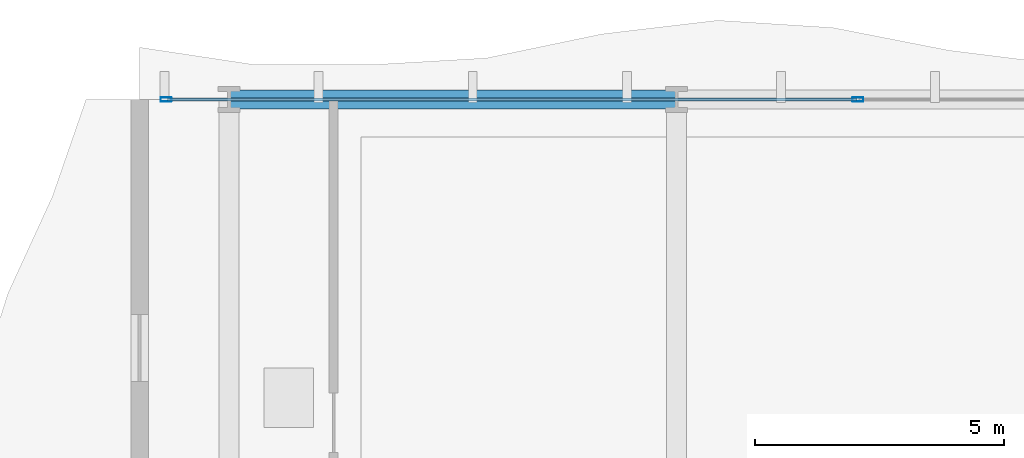
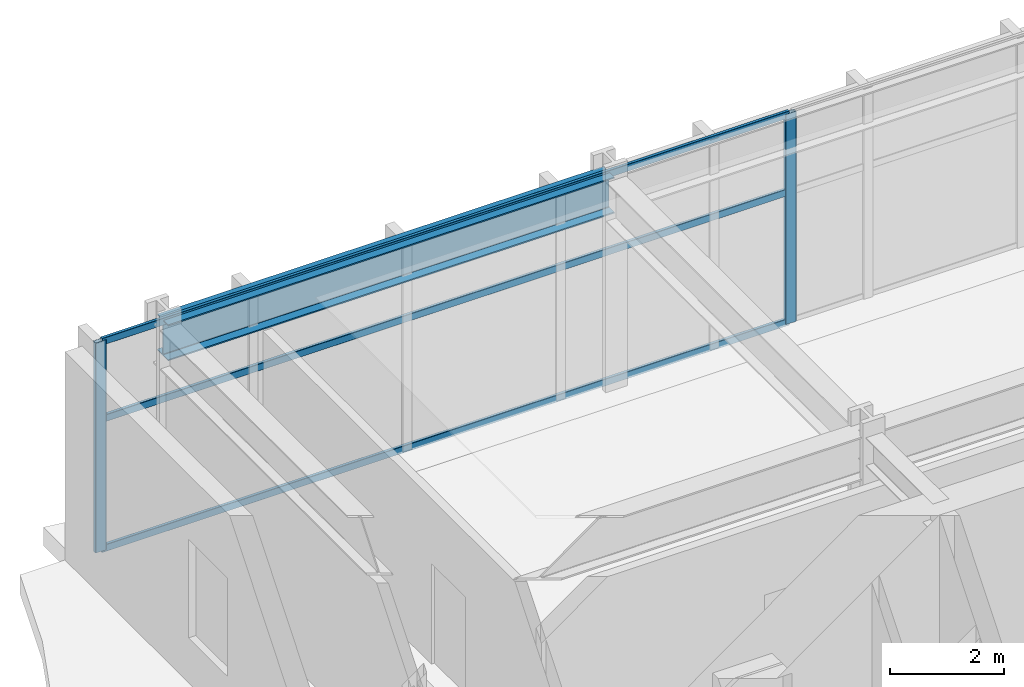
# One storey, part 13 of 29: 5 members, 1 beam, 1 element without a shape of its own.
"""IFC4 building model written with IfcOpenShell, lengths in metres."""

from ifc_helpers import new_model, si_unit, direction, frame, origin, origin_2d, place, context, subcontext, project, spatial, hollow_rectangle, i_section, extrude, material, layer, layer_set, material_profile, profile_set, type_object, element, aggregate, save


model = new_model("IFC4")

# Units and contexts
model_context = context("Model", 3, precision=1e-05, world=origin(), true_north=direction((0.0, 1.0)))
body_context = subcontext(model_context, "Body", "Model", "MODEL_VIEW")
ifc_project = project(units=[si_unit("LENGTHUNIT", "METRE"), si_unit("AREAUNIT", "SQUARE_METRE"), si_unit("VOLUMEUNIT", "CUBIC_METRE"), si_unit("PLANEANGLEUNIT", "RADIAN"), si_unit("MASSUNIT", "GRAM", prefix="KILO")], contexts=[model_context])

# Site, building, storey
site_placement = place(None, origin())
site = spatial("IfcSite", under=ifc_project, at=site_placement, CompositionType="ELEMENT")
building_placement = place(site_placement, origin())
building = spatial("IfcBuilding", under=site, at=building_placement, Name="Solvaryn Broadcast Tower", CompositionType="ELEMENT")
storey_placement = place(building_placement, frame((0.0, 0.0, 21.199951171875)))
storey = spatial("IfcBuildingStorey", under=building, at=storey_placement, Name="L04", CompositionType="ELEMENT", Elevation=21.199951171875)

# Beam
ifc_material_1 = material(Name="Steel ASTM A992 Grade 50", Category="steel")
ifc_material_profile_1 = material_profile(ifc_material_1, i_section(OverallWidth=0.381103515625, OverallDepth=0.77294921875, WebThickness=0.0166015625, FlangeThickness=0.027099609375, FilletRadius=0.01806640625, at=origin_2d()))
ifc_profile_set_1 = profile_set([ifc_material_profile_1], Name="Steel ASTM A992 Grade 50")
beam_type = type_object("IfcBeamType", Name="BM-SP1-W30X173", PredefinedType="USERDEFINED", material=ifc_profile_set_1)
beam_placement = place(storey_placement, frame((9.0, 54.0, 4.093505859375), z_axis=(1.0, 0.0, 0.0), x_axis=(0.0, 1.0, 0.0)))
element("IfcBeam", 1, at=beam_placement, inside=storey, type_object=beam_type, Name="L04 Spandrel Beam X (9-18 @ Y=54)", ObjectType="SPANDREL", PredefinedType="USERDEFINED", context=body_context, shape_type="SweptSolid", body=[
    extrude(i_section(OverallWidth=0.381103515625, OverallDepth=0.77294921875, WebThickness=0.0166015625, FlangeThickness=0.027099609375, FilletRadius=0.01806640625, at=origin_2d()), origin(), (0.0, 0.0, 1.0), 9.0),
])

# Curtain wall, members
ifc_material_2 = material(Name="Aluminium and Terracotta Unitised Curtain Wall", Category="masonry")
ifc_layer = layer(ifc_material_2, 0.219970703125)
ifc_layer_set = layer_set([ifc_layer], Name="CW-SYS1-PODIUM")
curtain_wall_type = type_object("IfcCurtainWallType", Name="CW-SYS1-PODIUM", PredefinedType="NOTDEFINED", material=ifc_layer_set)
curtain_wall_placement = place(storey_placement, origin())
curtain_wall = element("IfcCurtainWall", 2, at=curtain_wall_placement, inside=storey, type_object=curtain_wall_type, Name="L04 Podium Curtain Wall N1", PredefinedType="NOTDEFINED")
ifc_material_3 = material(Name="Anodised Aluminium 6063-T6", Category="aluminium")
ifc_material_profile_2 = material_profile(ifc_material_3, hollow_rectangle(XDim=0.0849609375, YDim=0.219970703125, WallThickness=0.0048828125, InnerFilletRadius=0.0048828125, OuterFilletRadius=0.010009765625, at=origin_2d()))
ifc_profile_set_2 = profile_set([ifc_material_profile_2], Name="Anodised Aluminium 6063-T6")
member_type_1 = type_object("IfcMemberType", Name="CW-MUL-220", PredefinedType="MULLION", material=ifc_profile_set_2)
member_1_placement = place(storey_placement, frame((7.72998046875, 54.0, 0.0), z_axis=(0.0, 0.0, 1.0), x_axis=(0.0, 1.0, 0.0)))
member_1 = element("IfcMember", 3, at=member_1_placement, type_object=member_type_1, Name="CWS1 mullion 1", PredefinedType="MULLION", context=body_context, shape_type="SweptSolid", body=[
    extrude(hollow_rectangle(XDim=0.0849609375, YDim=0.219970703125, WallThickness=0.0048828125, InnerFilletRadius=0.0048828125, OuterFilletRadius=0.010009765625, at=origin_2d()), origin(), (0.0, 0.0, 1.0), 4.47998046875),
])
member_2_placement = place(storey_placement, frame((21.64990234375, 54.0, 0.0), z_axis=(0.0, 0.0, 1.0), x_axis=(0.0, 1.0, 0.0)))
member_2 = element("IfcMember", 4, at=member_2_placement, type_object=member_type_1, Name="CWS1 mullion 2", PredefinedType="MULLION", context=body_context, shape_type="SweptSolid", body=[
    extrude(hollow_rectangle(XDim=0.0849609375, YDim=0.219970703125, WallThickness=0.0048828125, InnerFilletRadius=0.0048828125, OuterFilletRadius=0.010009765625, at=origin_2d()), origin(), (0.0, 0.0, 1.0), 4.47998046875),
])
ifc_material_4 = material(Name="Anodised Aluminium 6063-T6", Category="aluminium")
ifc_material_profile_3 = material_profile(ifc_material_4, hollow_rectangle(XDim=0.06494140625, YDim=0.14990234375, WallThickness=0.00390625, InnerFilletRadius=0.00390625, OuterFilletRadius=0.008056640625, at=origin_2d()))
ifc_profile_set_3 = profile_set([ifc_material_profile_3], Name="Anodised Aluminium 6063-T6")
member_type_2 = type_object("IfcMemberType", Name="CW-TRN-150", PredefinedType="USERDEFINED", material=ifc_profile_set_3)
member_3_placement = place(storey_placement, frame((7.760009765625, 54.0, 0.030029296875), z_axis=(1.0, 0.0, 0.0), x_axis=(0.0, 1.0, 0.0)))
member_3 = element("IfcMember", 5, at=member_3_placement, type_object=member_type_2, Name="CWS1 transom 1.1", ObjectType="TRANSOM", PredefinedType="USERDEFINED", context=body_context, shape_type="SweptSolid", body=[
    extrude(hollow_rectangle(XDim=0.06494140625, YDim=0.14990234375, WallThickness=0.00390625, InnerFilletRadius=0.00390625, OuterFilletRadius=0.008056640625, at=origin_2d()), origin(), (0.0, 0.0, 1.0), 13.860107421875),
])
member_4_placement = place(storey_placement, frame((7.760009765625, 54.0, 2.800048828125), z_axis=(1.0, 0.0, 0.0), x_axis=(0.0, 1.0, 0.0)))
member_4 = element("IfcMember", 6, at=member_4_placement, type_object=member_type_2, Name="CWS1 transom 1.2", ObjectType="TRANSOM", PredefinedType="USERDEFINED", context=body_context, shape_type="SweptSolid", body=[
    extrude(hollow_rectangle(XDim=0.06494140625, YDim=0.14990234375, WallThickness=0.00390625, InnerFilletRadius=0.00390625, OuterFilletRadius=0.008056640625, at=origin_2d()), origin(), (0.0, 0.0, 1.0), 13.860107421875),
])
member_5_placement = place(storey_placement, frame((7.760009765625, 54.0, 4.449951171875), z_axis=(1.0, 0.0, 0.0), x_axis=(0.0, 1.0, 0.0)))
member_5 = element("IfcMember", 7, at=member_5_placement, type_object=member_type_2, Name="CWS1 transom 1.3", ObjectType="TRANSOM", PredefinedType="USERDEFINED", context=body_context, shape_type="SweptSolid", body=[
    extrude(hollow_rectangle(XDim=0.06494140625, YDim=0.14990234375, WallThickness=0.00390625, InnerFilletRadius=0.00390625, OuterFilletRadius=0.008056640625, at=origin_2d()), origin(), (0.0, 0.0, 1.0), 13.860107421875),
])
aggregate(curtain_wall, [member_1, member_2, member_3, member_4, member_5])

save(model, "model.ifc")
